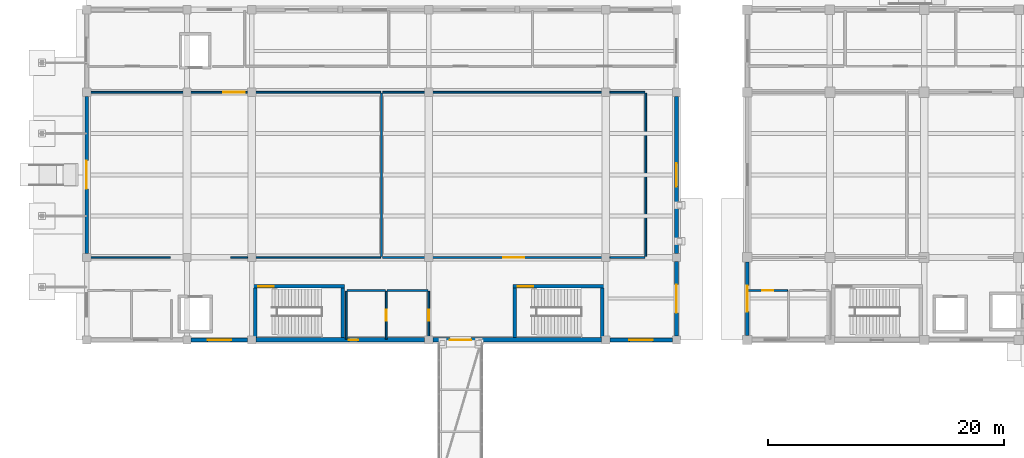
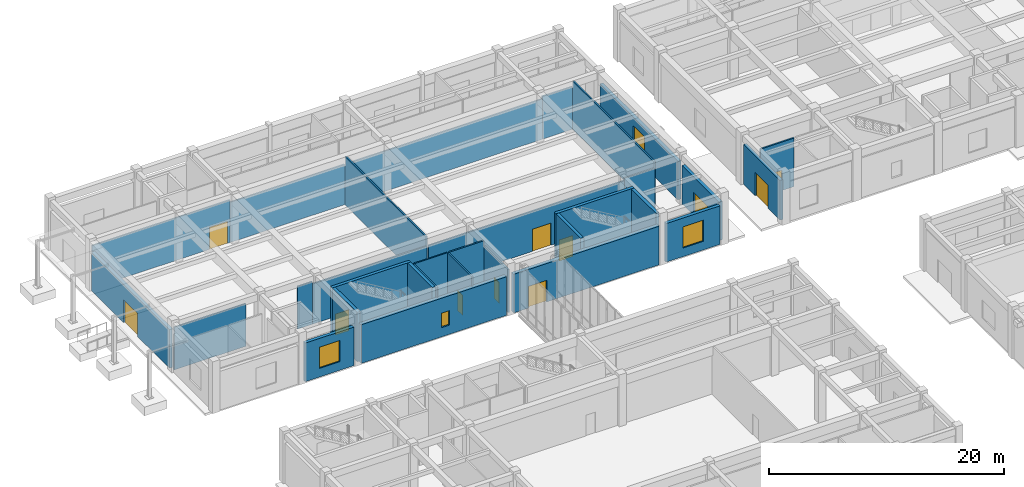
# One storey, part 20 of 40: 31 walls, 11 doors, 4 windows, 15 openings.
"""IFC4 building model written with IfcOpenShell, lengths in metres."""

import ifcopenshell
import ifcopenshell.guid

model = None  # the IFC model being written
_history = None  # IfcOwnerHistory: only IFC2X3 demands one
_inside = {}  # id of a spatial element -> (the spatial element, [elements in it])
_under = {}  # id of a project, library or spatial element -> (it, [spatial elements below it])
_declared = {}  # id of a project -> (the project, [libraries it declares])
_typed = {}  # id of a type object -> (the type object, [elements of that type])
_made_of = {}  # id of a material, layer set ... -> (it, [elements and type objects made of it])


def new_model(schema):
    """Start an empty IFC model of exactly this schema.

    Asked for "IFC4X3", IfcOpenShell would pick the latest addendum, in which some entities
    have other attributes; the version numbers below select the first issue.
    IFC2X3 requires an IfcOwnerHistory on every rooted entity: one is made here for all.
    """
    global model, _history
    if schema == "IFC4X3":
        model = ifcopenshell.file(schema_version=(4, 3, 0, 0))
    else:
        model = ifcopenshell.file(schema=schema)
    _inside.clear()
    _under.clear()
    _declared.clear()
    _typed.clear()
    _made_of.clear()
    _history = None
    if model.schema == "IFC2X3":
        org = make("IfcOrganization", Name="unknown")
        user = make(
            "IfcPersonAndOrganization",
            ThePerson=make("IfcPerson", FamilyName="unknown"),
            TheOrganization=org,
        )
        app = make(
            "IfcApplication",
            ApplicationDeveloper=org,
            Version="unknown",
            ApplicationFullName="unknown",
            ApplicationIdentifier="unknown",
        )
        _history = make(
            "IfcOwnerHistory",
            OwningUser=user,
            OwningApplication=app,
            ChangeAction="ADDED",
            CreationDate=0,
        )
    return model


def make(cls, **values):
    """One entity of the class cls with the attributes given. An attribute that is None is left unset."""
    return model.create_entity(
        cls, **{name: value for name, value in values.items() if value is not None}
    )


def rooted(cls, **values):
    """An entity with a GlobalId (a new one), such as an element, a storey or a relation."""
    return make(cls, GlobalId=ifcopenshell.guid.new(), OwnerHistory=_history, **values)


def si_unit(unit_type, name, prefix=None):
    """IfcSIUnit, for example si_unit("LENGTHUNIT", "METRE", prefix="MILLI")."""
    return make("IfcSIUnit", UnitType=unit_type, Prefix=prefix, Name=name)


def assignment(units):
    """IfcUnitAssignment: the units of a project."""
    return None if units is None else make("IfcUnitAssignment", Units=units)


def point(xyz):
    """IfcCartesianPoint."""
    return None if xyz is None else make("IfcCartesianPoint", Coordinates=xyz)


def direction(xyz):
    """IfcDirection."""
    return None if xyz is None else make("IfcDirection", DirectionRatios=xyz)


def frame(location, z_axis=None, x_axis=None):
    """IfcAxis2Placement3D, a coordinate frame: its origin and axes. An axis left out is left unset."""
    return make(
        "IfcAxis2Placement3D",
        Location=point(location),
        Axis=direction(z_axis),
        RefDirection=direction(x_axis),
    )


def frame_2d(location, x_axis=None):
    """IfcAxis2Placement2D, a coordinate frame in the plane: its origin and x axis."""
    return make(
        "IfcAxis2Placement2D", Location=point(location), RefDirection=direction(x_axis)
    )


def origin():
    """The frame at (0, 0, 0) with its axes left unset."""
    return frame((0.0, 0.0, 0.0))


def place(relative_to, where):
    """IfcLocalPlacement: puts the frame where relative to a parent placement (None: the world)."""
    return make(
        "IfcLocalPlacement", PlacementRelTo=relative_to, RelativePlacement=where
    )


def context(
    kind, dimensions, precision=None, world=None, true_north=None, identifier=None
):
    """IfcGeometricRepresentationContext, for example the 3D "Model" context."""
    return make(
        "IfcGeometricRepresentationContext",
        ContextIdentifier=identifier,
        ContextType=kind,
        CoordinateSpaceDimension=dimensions,
        Precision=precision,
        WorldCoordinateSystem=world,
        TrueNorth=true_north,
    )


def subcontext(parent, identifier, kind, view, scale=None):
    """IfcGeometricRepresentationSubContext, for example "Body" below "Model"."""
    return make(
        "IfcGeometricRepresentationSubContext",
        ContextIdentifier=identifier,
        ContextType=kind,
        ParentContext=parent,
        TargetScale=scale,
        TargetView=view,
    )


def project(units=None, contexts=None):
    """IfcProject with its units and contexts."""
    return rooted(
        "IfcProject",
        Name="project",
        RepresentationContexts=contexts,
        UnitsInContext=assignment(units),
    )


def spatial(cls, under=None, at=None, **own):
    """A site, building, storey or space (cls), placed at a placement, below another one or the project."""
    s = rooted(cls, ObjectPlacement=at, **own)
    if under is not None:
        _under.setdefault(under.id(), (under, []))[1].append(s)
    return s


def profile(cls, at=None, kind="AREA", **sizes):
    """A parametric profile (cls). Its sizes go by their IFC names, for example OverallWidth=200.0."""
    return make(cls, ProfileType=kind, Position=at, **sizes)


def rectangle(**sizes):
    """IfcRectangleProfileDef."""
    return profile("IfcRectangleProfileDef", **sizes)


def extrude(swept, where, along, depth):
    """IfcExtrudedAreaSolid: the profile swept, set in the frame where, extruded along a direction by depth."""
    return make(
        "IfcExtrudedAreaSolid",
        SweptArea=swept,
        Position=where,
        ExtrudedDirection=direction(along),
        Depth=depth,
    )


def shape(context_of_items, identifier, shape_type, items):
    """IfcShapeRepresentation: the items that make up one representation, for example the "Body"."""
    return make(
        "IfcShapeRepresentation",
        ContextOfItems=context_of_items,
        RepresentationIdentifier=identifier,
        RepresentationType=shape_type,
        Items=items,
    )


def material(Name=None, Category=None):
    """IfcMaterial."""
    return make("IfcMaterial", Name=Name, Category=Category)


def layer(
    of_material, thickness, ventilated=None, Name=None, Category=None, Priority=None
):
    """IfcMaterialLayer: one layer of a wall or slab, of a material (None: an air gap)."""
    return make(
        "IfcMaterialLayer",
        Material=of_material,
        LayerThickness=thickness,
        IsVentilated=ventilated,
        Name=Name,
        Category=Category,
        Priority=Priority,
    )


def layer_set(layers, Name=None):
    """IfcMaterialLayerSet."""
    return make("IfcMaterialLayerSet", MaterialLayers=layers, LayerSetName=Name)


def made_of(thing, what):
    """Note that an element or type object is made of a material, layer set ...; save() writes the relation."""
    if what is not None:
        _made_of.setdefault(what.id(), (what, []))[1].append(thing)
    return thing


def type_object(cls, material=None, **own):
    """A type object (cls), such as IfcWallType, which elements share."""
    return made_of(rooted(cls, **own), material)


def element(
    cls,
    number,
    at=None,
    inside=None,
    cuts=None,
    type_object=None,
    material=None,
    context=None,
    identifier="Body",
    shape_type=None,
    held_by="IfcProductDefinitionShape",
    body=None,
    shapes=None,
    **own,
):
    """One element of the class cls, such as IfcWall. Its Tag is "e" and its number.

    at: its placement. inside: the storey or other place that contains it. cuts: it is an
    opening in that element (IfcRelVoidsElement). A single representation is given by context,
    identifier, shape_type and body (its items); several are given by shapes. held_by: the class
    of the entity that holds the representations. save() writes the other relations.
    """
    e = rooted(cls, Tag="e%d" % number, ObjectPlacement=at, **own)
    if body is not None:
        shapes = [shape(context, identifier, shape_type, body)]
    if shapes is not None:
        e.Representation = make(held_by, Representations=shapes)
    if inside is not None:
        _inside.setdefault(inside.id(), (inside, []))[1].append(e)
    if cuts is not None:
        rooted(
            "IfcRelVoidsElement", RelatingBuildingElement=cuts, RelatedOpeningElement=e
        )
    if type_object is not None:
        _typed.setdefault(type_object.id(), (type_object, []))[1].append(e)
    return made_of(e, material)


def fill(opening, filler):
    """IfcRelFillsElement: the door or window that sits in an opening."""
    return rooted(
        "IfcRelFillsElement",
        RelatingOpeningElement=opening,
        RelatedBuildingElement=filler,
    )


def aggregate(whole, parts):
    """IfcRelAggregates: a whole, such as a stair, and the parts it consists of."""
    return rooted("IfcRelAggregates", RelatingObject=whole, RelatedObjects=parts)


def save(model, path):
    """Write the relations noted so far, then the file.

    IfcRelAggregates (storeys below a building ...), IfcRelContainedInSpatialStructure (elements
    in a storey), IfcRelDefinesByType, IfcRelAssociatesMaterial and IfcRelDeclares: one each for
    every whole, place, type object, material and project.
    """
    for whole, parts in _under.values():
        aggregate(whole, parts)
    for where, things in _inside.values():
        rooted(
            "IfcRelContainedInSpatialStructure",
            RelatedElements=things,
            RelatingStructure=where,
        )
    for kind, things in _typed.values():
        rooted("IfcRelDefinesByType", RelatedObjects=things, RelatingType=kind)
    for what, things in _made_of.values():
        rooted("IfcRelAssociatesMaterial", RelatedObjects=things, RelatingMaterial=what)
    for by, libraries in _declared.values():
        rooted("IfcRelDeclares", RelatingContext=by, RelatedDefinitions=libraries)
    model.write(path)


model = new_model("IFC4")

# Units and contexts
model_context = context("Model", 3, precision=1e-05, world=origin(), true_north=direction((0.0, 1.0)))
body_context = subcontext(model_context, "Body", "Model", "MODEL_VIEW")
ifc_project = project(units=[si_unit("LENGTHUNIT", "METRE"), si_unit("AREAUNIT", "SQUARE_METRE"), si_unit("VOLUMEUNIT", "CUBIC_METRE"), si_unit("PLANEANGLEUNIT", "RADIAN"), si_unit("MASSUNIT", "GRAM", prefix="KILO")], contexts=[model_context])

# Site, building, storey
site_placement = place(None, origin())
site = spatial("IfcSite", under=ifc_project, at=site_placement, CompositionType="ELEMENT")
building_placement = place(site_placement, origin())
building = spatial("IfcBuilding", under=site, at=building_placement, Name="Naurynzar Civic Courthouse", CompositionType="ELEMENT")
storey_placement = place(building_placement, origin())
storey = spatial("IfcBuildingStorey", under=building, at=storey_placement, Name="L01", CompositionType="ELEMENT", Elevation=0.0)

# Walls
ifc_material_1 = material(Name="Acoustic Double-Stud Gypsum Partition")
ifc_layer_1 = layer(ifc_material_1, 0.135009765625)
ifc_layer_set_1 = layer_set([ifc_layer_1], Name="WL-ACOUSTIC-135")
wall_type_1 = type_object("IfcWallType", Name="WL-ACOUSTIC-135", PredefinedType="PARTITIONING", material=ifc_layer_set_1)
wall_1_placement = place(storey_placement, frame((6.080078125, 51.0, 0.0), z_axis=(0.0, 0.0, 1.0), x_axis=(1.0, 0.0, 0.0)))
element("IfcWall", 1, at=wall_1_placement, inside=storey, type_object=wall_type_1, Name="V1 interior partition L01.104", PredefinedType="PARTITIONING", context=body_context, shape_type="SweptSolid", body=[
    extrude(rectangle(XDim=7.02001953125, YDim=0.135009765625, at=frame_2d((3.510009765625, 0.0))), origin(), (0.0, 0.0, 1.0), 4.429931640625),
])
wall_2_placement = place(storey_placement, frame((18.199951171875, 51.0, 0.0), z_axis=(0.0, 0.0, 1.0), x_axis=(1.0, 0.0, 0.0)))
element("IfcWall", 2, at=wall_2_placement, inside=storey, type_object=wall_type_1, Name="V1 interior partition L01.105a", PredefinedType="PARTITIONING", context=body_context, shape_type="SweptSolid", body=[
    extrude(rectangle(XDim=1.449951171875, YDim=0.135009765625, at=frame_2d((0.72509765625, 0.0))), origin(), (0.0, 0.0, 1.0), 4.429931640625),
])
wall_3_placement = place(storey_placement, frame((19.64990234375, 51.0, 0.0), z_axis=(0.0, 0.0, 1.0), x_axis=(1.0, 0.0, 0.0)))
element("IfcWall", 3, at=wall_3_placement, inside=storey, type_object=wall_type_1, Name="V1 interior partition L01.105ab", PredefinedType="PARTITIONING", context=body_context, shape_type="SweptSolid", body=[
    extrude(rectangle(XDim=11.27001953125, YDim=0.135009765625, at=frame_2d((5.635009765625, 0.0))), origin(), (0.0, 0.0, 1.0), 4.179931640625),
])

# Wall, opening, door
wall_4_placement = place(storey_placement, frame((6.080078125, 65.0, 0.0), z_axis=(0.0, 0.0, 1.0), x_axis=(1.0, 0.0, 0.0)))
wall_4 = element("IfcWall", 4, at=wall_4_placement, inside=storey, type_object=wall_type_1, Name="V1 interior partition L01.114a", PredefinedType="PARTITIONING", context=body_context, shape_type="SweptSolid", body=[
    extrude(rectangle(XDim=13.56982421875, YDim=0.135009765625, at=frame_2d((6.784912109375, 0.0))), origin(), (0.0, 0.0, 1.0), 4.429931640625),
])
opening_1_placement = place(wall_4_placement, frame((11.52001953125, 0.0, 0.0)))
opening_1 = element("IfcOpeningElement", 5, at=opening_1_placement, cuts=wall_4, Name="Opening D-012", PredefinedType="OPENING", context=body_context, shape_type="SweptSolid", body=[
    extrude(rectangle(XDim=1.800048828125, YDim=2.300048828125, at=frame_2d((0.89990234375, 1.14990234375))), frame((0.0, 0.077392578125, 0.0), z_axis=(0.0, -1.0, 0.0), x_axis=(1.0, 0.0, 0.0)), (0.0, 0.0, 1.0), 0.155029296875),
])
ifc_material_2 = material(Name="Acoustic Oak Timber Grade A", Category="wood")
door_type_1 = type_object("IfcDoorType", Name="DR-COURT-DBL-1800x2300", OperationType="DOUBLE_DOOR_SINGLE_SWING", PredefinedType="DOOR", material=ifc_material_2)
door_1_placement = place(opening_1_placement, origin())
door_1 = element("IfcDoor", 6, at=door_1_placement, inside=storey, type_object=door_type_1, Name="Interior door D-012 (Jury Assembly Hall)", OperationType="DOUBLE_DOOR_SINGLE_SWING", OverallHeight=2.300048828125, OverallWidth=1.800048828125, PredefinedType="DOOR", context=body_context, shape_type="SweptSolid", body=[
    extrude(rectangle(XDim=1.800048828125, YDim=2.300048828125, at=frame_2d((0.89990234375, 1.14990234375))), frame((0.0, 0.02490234375, 0.0), z_axis=(0.0, -1.0, 0.0), x_axis=(1.0, 0.0, 0.0)), (0.0, 0.0, 1.0), 0.050048828125),
])
fill(opening_1, door_1)

# Wall
wall_5_placement = place(storey_placement, frame((19.64990234375, 65.0, 0.0), z_axis=(0.0, 0.0, 1.0), x_axis=(1.0, 0.0, 0.0)))
element("IfcWall", 7, at=wall_5_placement, inside=storey, type_object=wall_type_1, Name="V1 interior partition L01.114ab", PredefinedType="PARTITIONING", context=body_context, shape_type="SweptSolid", body=[
    extrude(rectangle(XDim=11.27001953125, YDim=0.135009765625, at=frame_2d((5.635009765625, 0.0))), origin(), (0.0, 0.0, 1.0), 4.179931640625),
])

# Wall, opening, door
ifc_material_3 = material(Name="Acoustic Double-Stud Gypsum Partition")
ifc_layer_2 = layer(ifc_material_3, 0.14501953125)
ifc_layer_set_2 = layer_set([ifc_layer_2], Name="WL-ACOUSTIC-145")
wall_type_2 = type_object("IfcWallType", Name="WL-ACOUSTIC-145", PredefinedType="PARTITIONING", material=ifc_layer_set_2)
wall_6_placement = place(storey_placement, frame((31.080078125, 51.0, 0.0), z_axis=(0.0, 0.0, 1.0), x_axis=(1.0, 0.0, 0.0)))
wall_6 = element("IfcWall", 8, at=wall_6_placement, inside=storey, type_object=wall_type_2, Name="V1 interior partition L01.106a", PredefinedType="PARTITIONING", context=body_context, shape_type="SweptSolid", body=[
    extrude(rectangle(XDim=19.27001953125, YDim=0.14501953125, at=frame_2d((9.635009765625, 0.0))), origin(), (0.0, 0.0, 1.0), 4.179931640625),
])
opening_2_placement = place(wall_6_placement, frame((10.219970703125, 0.0, 0.0)))
opening_2 = element("IfcOpeningElement", 9, at=opening_2_placement, cuts=wall_6, Name="Opening D-013", PredefinedType="OPENING", context=body_context, shape_type="SweptSolid", body=[
    extrude(rectangle(XDim=1.800048828125, YDim=2.300048828125, at=frame_2d((0.89990234375, 1.14990234375))), frame((0.0, 0.08251953125, 0.0), z_axis=(0.0, -1.0, 0.0), x_axis=(1.0, 0.0, 0.0)), (0.0, 0.0, 1.0), 0.1650390625),
])
door_2_placement = place(opening_2_placement, origin())
door_2 = element("IfcDoor", 10, at=door_2_placement, inside=storey, type_object=door_type_1, Name="Interior door D-013 (Press Briefing Hall)", OperationType="DOUBLE_DOOR_SINGLE_SWING", OverallHeight=2.300048828125, OverallWidth=1.800048828125, PredefinedType="DOOR", context=body_context, shape_type="SweptSolid", body=[
    extrude(rectangle(XDim=1.800048828125, YDim=2.300048828125, at=frame_2d((0.89990234375, 1.14990234375))), frame((0.0, 0.02490234375, 0.0), z_axis=(0.0, -1.0, 0.0), x_axis=(1.0, 0.0, 0.0)), (0.0, 0.0, 1.0), 0.050048828125),
])
fill(opening_2, door_2)

# Walls
wall_7_placement = place(storey_placement, frame((50.35009765625, 51.0, 0.0), z_axis=(0.0, 0.0, 1.0), x_axis=(1.0, 0.0, 0.0)))
element("IfcWall", 11, at=wall_7_placement, inside=storey, type_object=wall_type_2, Name="V1 interior partition L01.106ab", PredefinedType="PARTITIONING", context=body_context, shape_type="SweptSolid", body=[
    extrude(rectangle(XDim=2.969970703125, YDim=0.14501953125, at=frame_2d((1.48486328125, 0.0))), origin(), (0.0, 0.0, 1.0), 4.429931640625),
])
wall_8_placement = place(storey_placement, frame((31.080078125, 65.0, 0.0), z_axis=(0.0, 0.0, 1.0), x_axis=(1.0, 0.0, 0.0)))
element("IfcWall", 12, at=wall_8_placement, inside=storey, type_object=wall_type_2, Name="V1 interior partition L01.115a", PredefinedType="PARTITIONING", context=body_context, shape_type="SweptSolid", body=[
    extrude(rectangle(XDim=19.27001953125, YDim=0.14501953125, at=frame_2d((9.635009765625, 0.0))), origin(), (0.0, 0.0, 1.0), 4.179931640625),
])
wall_9_placement = place(storey_placement, frame((50.35009765625, 65.0, 0.0), z_axis=(0.0, 0.0, 1.0), x_axis=(1.0, 0.0, 0.0)))
element("IfcWall", 13, at=wall_9_placement, inside=storey, type_object=wall_type_2, Name="V1 interior partition L01.115ab", PredefinedType="PARTITIONING", context=body_context, shape_type="SweptSolid", body=[
    extrude(rectangle(XDim=2.969970703125, YDim=0.14501953125, at=frame_2d((1.48486328125, 0.0))), origin(), (0.0, 0.0, 1.0), 4.429931640625),
])
for number, where, z_axis, x_axis, name in (
    (14, (31.0, 51.080078125, 0.0), (0.0, 0.0, 1.0), (0.0, 1.0, 0.0), "V1 interior partition L01.143"),
    (15, (53.39990234375, 51.080078125, 0.0), (0.0, 0.0, 1.0), (0.0, 1.0, 0.0), "V1 interior partition L01.150"),
):
    element("IfcWall", number, at=place(storey_placement, frame(where, z_axis=z_axis, x_axis=x_axis)), inside=storey, type_object=wall_type_2, Name=name, PredefinedType="PARTITIONING", context=body_context, shape_type="SweptSolid", body=[
        extrude(rectangle(XDim=13.83984375, YDim=0.14501953125, at=frame_2d((6.919921875, 0.0))), origin(), (0.0, 0.0, 1.0), 5.0400390625),
    ])

# Wall, opening, door
ifc_material_4 = material(Name="Concrete C40/50", Category="concrete")
ifc_layer_3 = layer(ifc_material_4, 0.300048828125)
ifc_layer_set_3 = layer_set([ifc_layer_3], Name="WL-CORE-300")
wall_type_3 = type_object("IfcWallType", Name="WL-CORE-300", PredefinedType="SHEAR", material=ifc_layer_set_3)
wall_10_placement = place(storey_placement, frame((20.14990234375, 48.550048828125, 0.0), z_axis=(0.0, 0.0, 1.0), x_axis=(1.0, 0.0, 0.0)))
wall_10 = element("IfcWall", 16, at=wall_10_placement, inside=storey, type_object=wall_type_3, Name="Stair ST-V1A enclosure wall north L01", PredefinedType="SHEAR", context=body_context, shape_type="SweptSolid", body=[
    extrude(rectangle(XDim=7.7001953125, YDim=0.300048828125, at=frame_2d((3.85009765625, 0.0))), origin(), (0.0, 0.0, 1.0), 5.139892578125),
])
opening_3_placement = place(wall_10_placement, frame((0.375, 0.0, 0.0)))
opening_3 = element("IfcOpeningElement", 17, at=opening_3_placement, cuts=wall_10, Name="Opening SD-002", PredefinedType="OPENING", context=body_context, shape_type="SweptSolid", body=[
    extrude(rectangle(XDim=1.35009765625, YDim=2.199951171875, at=frame_2d((0.675048828125, 1.10009765625))), frame((0.0, 0.159912109375, 0.0), z_axis=(0.0, -1.0, 0.0), x_axis=(1.0, 0.0, 0.0)), (0.0, 0.0, 1.0), 0.320068359375),
])
ifc_material_5 = material(Name="Powder-Coated Galvanised Steel", Category="steel")
door_type_2 = type_object("IfcDoorType", Name="DR-STAIR-1350x2200", OperationType="NOTDEFINED", PredefinedType="DOOR", material=ifc_material_5)
door_3_placement = place(opening_3_placement, origin())
door_3 = element("IfcDoor", 18, at=door_3_placement, inside=storey, type_object=door_type_2, Name="Stair ST-V1A fire door L01", OperationType="SINGLE_SWING_RIGHT", OverallHeight=2.199951171875, OverallWidth=1.35009765625, PredefinedType="DOOR", context=body_context, shape_type="SweptSolid", body=[
    extrude(rectangle(XDim=1.35009765625, YDim=2.199951171875, at=frame_2d((0.675048828125, 1.10009765625))), frame((0.0, 0.02490234375, 0.0), z_axis=(0.0, -1.0, 0.0), x_axis=(1.0, 0.0, 0.0)), (0.0, 0.0, 1.0), 0.050048828125),
])
fill(opening_3, door_3)

# Walls
for number, where, z_axis, x_axis, name in (
    (19, (20.300048828125, 48.39501953125, 0.0), (0.0, 0.0, 1.0), (0.0, -1.0, 0.0), "Stair ST-V1A enclosure wall west L01"),
    (20, (27.699951171875, 44.195068359375, 0.0), (0.0, 0.0, 1.0), (0.0, 1.0, 0.0), "Stair ST-V1A enclosure wall east L01"),
):
    element("IfcWall", number, at=place(storey_placement, frame(where, z_axis=z_axis, x_axis=x_axis)), inside=storey, type_object=wall_type_3, Name=name, PredefinedType="SHEAR", context=body_context, shape_type="SweptSolid", body=[
        extrude(rectangle(XDim=4.199951171875, YDim=0.300048828125, at=frame_2d((2.10009765625, 0.0))), origin(), (0.0, 0.0, 1.0), 5.139892578125),
    ])

# Wall, opening, door
wall_11_placement = place(storey_placement, frame((42.14990234375, 48.550048828125, 0.0), z_axis=(0.0, 0.0, 1.0), x_axis=(1.0, 0.0, 0.0)))
wall_11 = element("IfcWall", 21, at=wall_11_placement, inside=storey, type_object=wall_type_3, Name="Stair ST-V1B enclosure wall north L01", PredefinedType="SHEAR", context=body_context, shape_type="SweptSolid", body=[
    extrude(rectangle(XDim=7.7001953125, YDim=0.300048828125, at=frame_2d((3.85009765625, 0.0))), origin(), (0.0, 0.0, 1.0), 5.139892578125),
])
opening_4_placement = place(wall_11_placement, frame((0.375, 0.0, 0.0)))
opening_4 = element("IfcOpeningElement", 22, at=opening_4_placement, cuts=wall_11, Name="Opening SD-007", PredefinedType="OPENING", context=body_context, shape_type="SweptSolid", body=[
    extrude(rectangle(XDim=1.35009765625, YDim=2.199951171875, at=frame_2d((0.675048828125, 1.10009765625))), frame((0.0, 0.159912109375, 0.0), z_axis=(0.0, -1.0, 0.0), x_axis=(1.0, 0.0, 0.0)), (0.0, 0.0, 1.0), 0.320068359375),
])
door_4_placement = place(opening_4_placement, origin())
door_4 = element("IfcDoor", 23, at=door_4_placement, inside=storey, type_object=door_type_2, Name="Stair ST-V1B fire door L01", OperationType="SINGLE_SWING_LEFT", OverallHeight=2.199951171875, OverallWidth=1.35009765625, PredefinedType="DOOR", context=body_context, shape_type="SweptSolid", body=[
    extrude(rectangle(XDim=1.35009765625, YDim=2.199951171875, at=frame_2d((0.675048828125, 1.10009765625))), frame((0.0, 0.02490234375, 0.0), z_axis=(0.0, -1.0, 0.0), x_axis=(1.0, 0.0, 0.0)), (0.0, 0.0, 1.0), 0.050048828125),
])
fill(opening_4, door_4)

# Walls
for number, where, z_axis, x_axis, name in (
    (24, (42.300048828125, 48.39501953125, 0.0), (0.0, 0.0, 1.0), (0.0, -1.0, 0.0), "Stair ST-V1B enclosure wall west L01"),
    (25, (49.699951171875, 44.195068359375, 0.0), (0.0, 0.0, 1.0), (0.0, 1.0, 0.0), "Stair ST-V1B enclosure wall east L01"),
):
    element("IfcWall", number, at=place(storey_placement, frame(where, z_axis=z_axis, x_axis=x_axis)), inside=storey, type_object=wall_type_3, Name=name, PredefinedType="SHEAR", context=body_context, shape_type="SweptSolid", body=[
        extrude(rectangle(XDim=4.199951171875, YDim=0.300048828125, at=frame_2d((2.10009765625, 0.0))), origin(), (0.0, 0.0, 1.0), 5.139892578125),
    ])

# Wall, opening, door
ifc_material_6 = material(Name="Precast concrete C40/50", Category="concrete")
ifc_layer_4 = layer(ifc_material_6, 0.300048828125)
ifc_layer_set_4 = layer_set([ifc_layer_4], Name="WL-EXT-300")
wall_type_4 = type_object("IfcWallType", Name="WL-EXT-300", PredefinedType="SOLIDWALL", material=ifc_layer_set_4)
wall_12_placement = place(storey_placement, frame((62.0, 44.39990234375, 0.0), z_axis=(0.0, 0.0, 1.0), x_axis=(0.0, 1.0, 0.0)))
wall_12 = element("IfcWall", 26, at=wall_12_placement, inside=storey, type_object=wall_type_4, Name="V2 exterior wall west L01.1.1", PredefinedType="SOLIDWALL", context=body_context, shape_type="SweptSolid", body=[
    extrude(rectangle(XDim=6.2001953125, YDim=0.300048828125, at=frame_2d((3.10009765625, 0.0))), origin(), (0.0, 0.0, 1.0), 4.1298828125),
])
opening_5_placement = place(wall_12_placement, frame((2.0, 0.0, 0.0)))
opening_5 = element("IfcOpeningElement", 27, at=opening_5_placement, cuts=wall_12, Name="Opening ED-06", PredefinedType="OPENING", context=body_context, shape_type="SweptSolid", body=[
    extrude(rectangle(XDim=2.199951171875, YDim=2.39990234375, at=frame_2d((1.10009765625, 1.199951171875))), frame((0.0, 0.159912109375, 0.0), z_axis=(0.0, -1.0, 0.0), x_axis=(1.0, 0.0, 0.0)), (0.0, 0.0, 1.0), 0.320068359375),
])
ifc_material_7 = material(Name="Aluminium 6063-T6", Category="aluminium")
door_type_3 = type_object("IfcDoorType", Name="DR-EXT-2200x2400", OperationType="DOUBLE_DOOR_SINGLE_SWING", PredefinedType="DOOR", material=ifc_material_7)
door_5_placement = place(opening_5_placement, origin())
door_5 = element("IfcDoor", 28, at=door_5_placement, inside=storey, type_object=door_type_3, Name="Ground final exit door ED-06", OperationType="DOUBLE_DOOR_SINGLE_SWING", OverallHeight=2.39990234375, OverallWidth=2.199951171875, PredefinedType="DOOR", context=body_context, shape_type="SweptSolid", body=[
    extrude(rectangle(XDim=2.199951171875, YDim=2.39990234375, at=frame_2d((1.10009765625, 1.199951171875))), frame((0.0, 0.02490234375, 0.0), z_axis=(0.0, -1.0, 0.0), x_axis=(1.0, 0.0, 0.0)), (0.0, 0.0, 1.0), 0.050048828125),
])
fill(opening_5, door_5)

ifc_material_8 = material(Name="Precast concrete C40/50", Category="concrete")
ifc_layer_5 = layer(ifc_material_8, 0.320068359375)
ifc_layer_set_5 = layer_set([ifc_layer_5], Name="WL-EXT-320")
wall_type_5 = type_object("IfcWallType", Name="WL-EXT-320", PredefinedType="SOLIDWALL", material=ifc_layer_set_5)
wall_13_placement = place(storey_placement, frame((6.0, 51.35009765625, 0.0), z_axis=(0.0, 0.0, 1.0), x_axis=(0.0, 1.0, 0.0)))
wall_13 = element("IfcWall", 29, at=wall_13_placement, inside=storey, type_object=wall_type_5, Name="V1 exterior wall west L01.2.1", PredefinedType="SOLIDWALL", context=body_context, shape_type="SweptSolid", body=[
    extrude(rectangle(XDim=13.2998046875, YDim=0.320068359375, at=frame_2d((6.64990234375, 0.0))), origin(), (0.0, 0.0, 1.0), 4.010009765625),
])
opening_6_placement = place(wall_13_placement, frame((5.449951171875, 0.0, 0.0)))
opening_6 = element("IfcOpeningElement", 30, at=opening_6_placement, cuts=wall_13, Name="Opening ED-01", PredefinedType="OPENING", context=body_context, shape_type="SweptSolid", body=[
    extrude(rectangle(XDim=2.39990234375, YDim=2.39990234375, at=frame_2d((1.199951171875, 1.199951171875))), frame((0.0, 0.169921875, 0.0), z_axis=(0.0, -1.0, 0.0), x_axis=(1.0, 0.0, 0.0)), (0.0, 0.0, 1.0), 0.340087890625),
])
ifc_material_9 = material(Name="Aluminium 6063-T6", Category="aluminium")
door_type_4 = type_object("IfcDoorType", Name="DR-EXT-2400x2400", OperationType="DOUBLE_DOOR_SINGLE_SWING", PredefinedType="DOOR", material=ifc_material_9)
door_6_placement = place(opening_6_placement, origin())
door_6 = element("IfcDoor", 31, at=door_6_placement, inside=storey, type_object=door_type_4, Name="Ground final exit door ED-01", OperationType="DOUBLE_DOOR_SINGLE_SWING", OverallHeight=2.39990234375, OverallWidth=2.39990234375, PredefinedType="DOOR", context=body_context, shape_type="SweptSolid", body=[
    extrude(rectangle(XDim=2.39990234375, YDim=2.39990234375, at=frame_2d((1.199951171875, 1.199951171875))), frame((0.0, 0.02490234375, 0.0), z_axis=(0.0, -1.0, 0.0), x_axis=(1.0, 0.0, 0.0)), (0.0, 0.0, 1.0), 0.050048828125),
])
fill(opening_6, door_6)

# Wall, opening, window
wall_14_placement = place(storey_placement, frame((56.0, 64.64990234375, 0.0), z_axis=(0.0, 0.0, 1.0), x_axis=(0.0, -1.0, 0.0)))
wall_14 = element("IfcWall", 32, at=wall_14_placement, inside=storey, type_object=wall_type_5, Name="V1 exterior wall east L01.2.1", PredefinedType="SOLIDWALL", context=body_context, shape_type="SweptSolid", body=[
    extrude(rectangle(XDim=13.2998046875, YDim=0.320068359375, at=frame_2d((6.64990234375, 0.0))), origin(), (0.0, 0.0, 1.0), 4.010009765625),
])
opening_7_placement = place(wall_14_placement, frame((5.64990234375, 0.0, 0.89990234375)))
opening_7 = element("IfcOpeningElement", 33, at=opening_7_placement, cuts=wall_14, Name="Opening WN-13", PredefinedType="OPENING", context=body_context, shape_type="SweptSolid", body=[
    extrude(rectangle(XDim=2.0, YDim=2.199951171875, at=frame_2d((1.0, 1.10009765625))), frame((0.0, 0.169921875, 0.0), z_axis=(0.0, -1.0, 0.0), x_axis=(1.0, 0.0, 0.0)), (0.0, 0.0, 1.0), 0.340087890625),
])
ifc_material_10 = material(Name="Tempered Laminated Low-E Glass", Category="glass")
window_type_1 = type_object("IfcWindowType", Name="WIN-REG-2000x2200", PartitioningType="DOUBLE_PANEL_VERTICAL", PredefinedType="WINDOW", material=ifc_material_10)
window_1_placement = place(opening_7_placement, origin())
window_1 = element("IfcWindow", 34, at=window_1_placement, inside=storey, type_object=window_type_1, Name="V1 window 8 L01", OverallHeight=2.199951171875, OverallWidth=2.0, PartitioningType="SINGLE_PANEL", PredefinedType="WINDOW", context=body_context, shape_type="SweptSolid", body=[
    extrude(rectangle(XDim=2.0, YDim=2.199951171875, at=frame_2d((1.0, 1.10009765625))), frame((0.0, 0.030029296875, 0.0), z_axis=(0.0, -1.0, 0.0), x_axis=(1.0, 0.0, 0.0)), (0.0, 0.0, 1.0), 0.06005859375),
])
fill(opening_7, window_1)

# Wall, opening, door
wall_15_placement = place(storey_placement, frame((56.0, 50.64990234375, 0.0), z_axis=(0.0, 0.0, 1.0), x_axis=(0.0, -1.0, 0.0)))
wall_15 = element("IfcWall", 35, at=wall_15_placement, inside=storey, type_object=wall_type_5, Name="V1 exterior wall east L01.3.1", PredefinedType="SOLIDWALL", context=body_context, shape_type="SweptSolid", body=[
    extrude(rectangle(XDim=6.2998046875, YDim=0.320068359375, at=frame_2d((3.14990234375, 0.0))), origin(), (0.0, 0.0, 1.0), 4.010009765625),
])
opening_8_placement = place(wall_15_placement, frame((1.949951171875, 0.0, 0.0)))
opening_8 = element("IfcOpeningElement", 36, at=opening_8_placement, cuts=wall_15, Name="Opening ED-05", PredefinedType="OPENING", context=body_context, shape_type="SweptSolid", body=[
    extrude(rectangle(XDim=2.39990234375, YDim=2.39990234375, at=frame_2d((1.199951171875, 1.199951171875))), frame((0.0, 0.169921875, 0.0), z_axis=(0.0, -1.0, 0.0), x_axis=(1.0, 0.0, 0.0)), (0.0, 0.0, 1.0), 0.340087890625),
])
door_7_placement = place(opening_8_placement, origin())
door_7 = element("IfcDoor", 37, at=door_7_placement, inside=storey, type_object=door_type_4, Name="Ground final exit door ED-05", OperationType="DOUBLE_DOOR_SINGLE_SWING", OverallHeight=2.39990234375, OverallWidth=2.39990234375, PredefinedType="DOOR", context=body_context, shape_type="SweptSolid", body=[
    extrude(rectangle(XDim=2.39990234375, YDim=2.39990234375, at=frame_2d((1.199951171875, 1.199951171875))), frame((0.0, 0.02490234375, 0.0), z_axis=(0.0, -1.0, 0.0), x_axis=(1.0, 0.0, 0.0)), (0.0, 0.0, 1.0), 0.050048828125),
])
fill(opening_8, door_7)

# Wall, opening, window
wall_16_placement = place(storey_placement, frame((55.64990234375, 44.0, 0.0), z_axis=(0.0, 0.0, 1.0), x_axis=(-1.0, 0.0, 0.0)))
wall_16 = element("IfcWall", 38, at=wall_16_placement, inside=storey, type_object=wall_type_5, Name="V1 exterior wall south L01.1.1", PredefinedType="SOLIDWALL", context=body_context, shape_type="SweptSolid", body=[
    extrude(rectangle(XDim=5.2998046875, YDim=0.320068359375, at=frame_2d((2.64990234375, 0.0))), origin(), (0.0, 0.0, 1.0), 4.010009765625),
])
opening_9_placement = place(wall_16_placement, frame((1.64990234375, 0.0, 0.89990234375)))
opening_9 = element("IfcOpeningElement", 39, at=opening_9_placement, cuts=wall_16, Name="Opening WN-13", PredefinedType="OPENING", context=body_context, shape_type="SweptSolid", body=[
    extrude(rectangle(XDim=2.0, YDim=2.199951171875, at=frame_2d((1.0, 1.10009765625))), frame((0.0, 0.169921875, 0.0), z_axis=(0.0, -1.0, 0.0), x_axis=(1.0, 0.0, 0.0)), (0.0, 0.0, 1.0), 0.340087890625),
])
window_2_placement = place(opening_9_placement, origin())
window_2 = element("IfcWindow", 40, at=window_2_placement, inside=storey, type_object=window_type_1, Name="V1 window 9 L01", OverallHeight=2.199951171875, OverallWidth=2.0, PartitioningType="SINGLE_PANEL", PredefinedType="WINDOW", context=body_context, shape_type="SweptSolid", body=[
    extrude(rectangle(XDim=2.0, YDim=2.199951171875, at=frame_2d((1.0, 1.10009765625))), frame((0.0, 0.030029296875, 0.0), z_axis=(0.0, -1.0, 0.0), x_axis=(1.0, 0.0, 0.0)), (0.0, 0.0, 1.0), 0.06005859375),
])
fill(opening_9, window_2)

wall_17_placement = place(storey_placement, frame((19.64990234375, 44.0, 0.0), z_axis=(0.0, 0.0, 1.0), x_axis=(-1.0, 0.0, 0.0)))
wall_17 = element("IfcWall", 41, at=wall_17_placement, inside=storey, type_object=wall_type_5, Name="V1 exterior wall south L01.4.1", PredefinedType="SOLIDWALL", context=body_context, shape_type="SweptSolid", body=[
    extrude(rectangle(XDim=4.7998046875, YDim=0.320068359375, at=frame_2d((2.39990234375, 0.0))), origin(), (0.0, 0.0, 1.0), 4.010009765625),
])
opening_10_placement = place(wall_17_placement, frame((1.39990234375, 0.0, 0.89990234375)))
opening_10 = element("IfcOpeningElement", 42, at=opening_10_placement, cuts=wall_17, Name="Opening WN-13", PredefinedType="OPENING", context=body_context, shape_type="SweptSolid", body=[
    extrude(rectangle(XDim=2.0, YDim=2.199951171875, at=frame_2d((1.0, 1.10009765625))), frame((0.0, 0.169921875, 0.0), z_axis=(0.0, -1.0, 0.0), x_axis=(1.0, 0.0, 0.0)), (0.0, 0.0, 1.0), 0.340087890625),
])
window_3_placement = place(opening_10_placement, origin())
window_3 = element("IfcWindow", 43, at=window_3_placement, inside=storey, type_object=window_type_1, Name="V1 window 10 L01", OverallHeight=2.199951171875, OverallWidth=2.0, PartitioningType="SINGLE_PANEL", PredefinedType="WINDOW", context=body_context, shape_type="SweptSolid", body=[
    extrude(rectangle(XDim=2.0, YDim=2.199951171875, at=frame_2d((1.0, 1.10009765625))), frame((0.0, 0.030029296875, 0.0), z_axis=(0.0, -1.0, 0.0), x_axis=(1.0, 0.0, 0.0)), (0.0, 0.0, 1.0), 0.06005859375),
])
fill(opening_10, window_3)

# Wall
ifc_material_11 = material(Name="Fire-Rated Corridor Gypsum Partition")
ifc_layer_6 = layer(ifc_material_11, 0.14990234375)
ifc_layer_set_6 = layer_set([ifc_layer_6], Name="WL-PART-CORR-150")
wall_type_6 = type_object("IfcWallType", Name="WL-PART-CORR-150", PredefinedType="PARTITIONING", material=ifc_layer_set_6)
wall_18_placement = place(storey_placement, frame((31.47998046875, 48.199951171875, 0.0), z_axis=(0.0, 0.0, 1.0), x_axis=(1.0, 0.0, 0.0)))
element("IfcWall", 44, at=wall_18_placement, inside=storey, type_object=wall_type_6, Name="V1 interior partition L01.99", PredefinedType="PARTITIONING", context=body_context, shape_type="SweptSolid", body=[
    extrude(rectangle(XDim=3.43994140625, YDim=0.14990234375, at=frame_2d((1.719970703125, 0.0))), origin(), (0.0, 0.0, 1.0), 5.0400390625),
])

# Wall, opening, door
wall_19_placement = place(storey_placement, frame((31.39990234375, 44.080078125, 0.0), z_axis=(0.0, 0.0, 1.0), x_axis=(0.0, 1.0, 0.0)))
wall_19 = element("IfcWall", 45, at=wall_19_placement, inside=storey, type_object=wall_type_6, Name="V1 interior partition L01.144", PredefinedType="PARTITIONING", context=body_context, shape_type="SweptSolid", body=[
    extrude(rectangle(XDim=4.0400390625, YDim=0.14990234375, at=frame_2d((2.02001953125, 0.0))), origin(), (0.0, 0.0, 1.0), 5.0400390625),
])
opening_11_placement = place(wall_19_placement, frame((1.56005859375, 0.0, 0.0)))
opening_11 = element("IfcOpeningElement", 46, at=opening_11_placement, cuts=wall_19, Name="Opening D-010", PredefinedType="OPENING", context=body_context, shape_type="SweptSolid", body=[
    extrude(rectangle(XDim=0.919921875, YDim=2.10009765625, at=frame_2d((0.4599609375, 1.050048828125))), frame((0.0, 0.0849609375, 0.0), z_axis=(0.0, -1.0, 0.0), x_axis=(1.0, 0.0, 0.0)), (0.0, 0.0, 1.0), 0.169921875),
])
ifc_material_12 = material(Name="Acoustic Oak Timber Grade A", Category="wood")
door_type_5 = type_object("IfcDoorType", Name="DR-WC-STD-920x2100", OperationType="NOTDEFINED", PredefinedType="DOOR", material=ifc_material_12)
door_8_placement = place(opening_11_placement, origin())
door_8 = element("IfcDoor", 47, at=door_8_placement, inside=storey, type_object=door_type_5, Name="Interior door D-010 (Staff WC V1)", OperationType="SINGLE_SWING_RIGHT", OverallHeight=2.10009765625, OverallWidth=0.919921875, PredefinedType="DOOR", context=body_context, shape_type="SweptSolid", body=[
    extrude(rectangle(XDim=0.919921875, YDim=2.10009765625, at=frame_2d((0.4599609375, 1.050048828125))), frame((0.0, 0.02490234375, 0.0), z_axis=(0.0, -1.0, 0.0), x_axis=(1.0, 0.0, 0.0)), (0.0, 0.0, 1.0), 0.050048828125),
])
fill(opening_11, door_8)

wall_20_placement = place(storey_placement, frame((35.0, 44.080078125, 0.0), z_axis=(0.0, 0.0, 1.0), x_axis=(0.0, 1.0, 0.0)))
wall_20 = element("IfcWall", 48, at=wall_20_placement, inside=storey, type_object=wall_type_6, Name="V1 interior partition L01.146", PredefinedType="PARTITIONING", context=body_context, shape_type="SweptSolid", body=[
    extrude(rectangle(XDim=4.0400390625, YDim=0.14990234375, at=frame_2d((2.02001953125, 0.0))), origin(), (0.0, 0.0, 1.0), 4.47998046875),
])
opening_12_placement = place(wall_20_placement, frame((1.570068359375, 0.0, 0.0)))
opening_12 = element("IfcOpeningElement", 49, at=opening_12_placement, cuts=wall_20, Name="Opening D-011", PredefinedType="OPENING", context=body_context, shape_type="SweptSolid", body=[
    extrude(rectangle(XDim=0.89990234375, YDim=2.14990234375, at=frame_2d((0.449951171875, 1.074951171875))), frame((0.0, 0.0849609375, 0.0), z_axis=(0.0, -1.0, 0.0), x_axis=(1.0, 0.0, 0.0)), (0.0, 0.0, 1.0), 0.169921875),
])
ifc_material_13 = material(Name="Acoustic Oak Timber Grade A", Category="wood")
door_type_6 = type_object("IfcDoorType", Name="DR-SUITE-900x2150", OperationType="NOTDEFINED", PredefinedType="DOOR", material=ifc_material_13)
door_9_placement = place(opening_12_placement, origin())
door_9 = element("IfcDoor", 50, at=door_9_placement, inside=storey, type_object=door_type_6, Name="Interior door D-011 (Ceremonial Waiting Lounge)", OperationType="SINGLE_SWING_LEFT", OverallHeight=2.14990234375, OverallWidth=0.89990234375, PredefinedType="DOOR", context=body_context, shape_type="SweptSolid", body=[
    extrude(rectangle(XDim=0.89990234375, YDim=2.14990234375, at=frame_2d((0.449951171875, 1.074951171875))), frame((0.0, 0.02490234375, 0.0), z_axis=(0.0, -1.0, 0.0), x_axis=(1.0, 0.0, 0.0)), (0.0, 0.0, 1.0), 0.050048828125),
])
fill(opening_12, door_9)

# Wall
ifc_material_14 = material(Name="Moisture-Resistant Plumbing Partition")
ifc_layer_7 = layer(ifc_material_14, 0.139892578125)
ifc_layer_set_7 = layer_set([ifc_layer_7], Name="WL-PART-WC-140")
wall_type_7 = type_object("IfcWallType", Name="WL-PART-WC-140", PredefinedType="PLUMBINGWALL", material=ifc_layer_set_7)
wall_21_placement = place(storey_placement, frame((28.080078125, 48.199951171875, 0.0), z_axis=(0.0, 0.0, 1.0), x_axis=(1.0, 0.0, 0.0)))
element("IfcWall", 51, at=wall_21_placement, inside=storey, type_object=wall_type_7, Name="V1 interior partition L01.98", PredefinedType="PLUMBINGWALL", context=body_context, shape_type="SweptSolid", body=[
    extrude(rectangle(XDim=3.239990234375, YDim=0.139892578125, at=frame_2d((1.6201171875, 0.0))), origin(), (0.0, 0.0, 1.0), 5.0400390625),
])

# Wall, opening, door
wall_22_placement = place(storey_placement, frame((62.080078125, 48.199951171875, 0.0), z_axis=(0.0, 0.0, 1.0), x_axis=(1.0, 0.0, 0.0)))
wall_22 = element("IfcWall", 52, at=wall_22_placement, inside=storey, type_object=wall_type_7, Name="V2 interior partition L01.100", PredefinedType="PLUMBINGWALL", context=body_context, shape_type="SweptSolid", body=[
    extrude(rectangle(XDim=3.33984375, YDim=0.139892578125, at=frame_2d((1.669921875, 0.0))), origin(), (0.0, 0.0, 1.0), 5.0400390625),
])
opening_13_placement = place(wall_22_placement, frame((1.2099609375, 0.0, 0.0)))
opening_13 = element("IfcOpeningElement", 53, at=opening_13_placement, cuts=wall_22, Name="Opening D-101", PredefinedType="OPENING", context=body_context, shape_type="SweptSolid", body=[
    extrude(rectangle(XDim=0.919921875, YDim=2.10009765625, at=frame_2d((0.4599609375, 1.050048828125))), frame((0.0, 0.079833984375, 0.0), z_axis=(0.0, -1.0, 0.0), x_axis=(1.0, 0.0, 0.0)), (0.0, 0.0, 1.0), 0.159912109375),
])
door_10_placement = place(opening_13_placement, origin())
door_10 = element("IfcDoor", 54, at=door_10_placement, inside=storey, type_object=door_type_5, Name="Interior door D-101 (Public WC V2)", OperationType="SINGLE_SWING_LEFT", OverallHeight=2.10009765625, OverallWidth=0.919921875, PredefinedType="DOOR", context=body_context, shape_type="SweptSolid", body=[
    extrude(rectangle(XDim=0.919921875, YDim=2.10009765625, at=frame_2d((0.4599609375, 1.050048828125))), frame((0.0, 0.02490234375, 0.0), z_axis=(0.0, -1.0, 0.0), x_axis=(1.0, 0.0, 0.0)), (0.0, 0.0, 1.0), 0.050048828125),
])
fill(opening_13, door_10)

# Wall
wall_23_placement = place(storey_placement, frame((28.0, 44.080078125, 0.0), z_axis=(0.0, 0.0, 1.0), x_axis=(0.0, 1.0, 0.0)))
element("IfcWall", 55, at=wall_23_placement, inside=storey, type_object=wall_type_7, Name="V1 interior partition L01.142", PredefinedType="PLUMBINGWALL", context=body_context, shape_type="SweptSolid", body=[
    extrude(rectangle(XDim=4.0400390625, YDim=0.139892578125, at=frame_2d((2.02001953125, 0.0))), origin(), (0.0, 0.0, 1.0), 5.0400390625),
])

# Wall, opening, door
ifc_material_15 = material(Name="Concrete C40/50", Category="concrete")
ifc_layer_8 = layer(ifc_material_15, 0.3798828125)
ifc_layer_set_8 = layer_set([ifc_layer_8], Name="WL-RET-380")
wall_type_8 = type_object("IfcWallType", Name="WL-RET-380", PredefinedType="STANDARD", material=ifc_layer_set_8)
wall_24_placement = place(storey_placement, frame((49.64990234375, 44.0, 0.0), z_axis=(0.0, 0.0, 1.0), x_axis=(-1.0, 0.0, 0.0)))
wall_24 = element("IfcWall", 56, at=wall_24_placement, inside=storey, type_object=wall_type_8, Name="V1 exterior wall south L01.2.1", PredefinedType="STANDARD", context=body_context, shape_type="SweptSolid", body=[
    extrude(rectangle(XDim=14.2998046875, YDim=0.3798828125, at=frame_2d((7.14990234375, 0.0))), origin(), (0.0, 0.0, 1.0), 4.010009765625),
])
opening_14_placement = place(wall_24_placement, frame((11.050048828125, 0.0, 0.0)))
opening_14 = element("IfcOpeningElement", 57, at=opening_14_placement, cuts=wall_24, Name="Opening BD-01", PredefinedType="OPENING", context=body_context, shape_type="SweptSolid", body=[
    extrude(rectangle(XDim=1.800048828125, YDim=2.25, at=frame_2d((0.89990234375, 1.125))), frame((0.0, 0.199951171875, 0.0), z_axis=(0.0, -1.0, 0.0), x_axis=(1.0, 0.0, 0.0)), (0.0, 0.0, 1.0), 0.39990234375),
])
ifc_material_16 = material(Name="Aluminium 6063-T6", Category="aluminium")
door_type_7 = type_object("IfcDoorType", Name="DR-BRG-1800x2250", OperationType="DOUBLE_DOOR_SINGLE_SWING", PredefinedType="DOOR", material=ifc_material_16)
door_11_placement = place(opening_14_placement, origin())
door_11 = element("IfcDoor", 58, at=door_11_placement, inside=storey, type_object=door_type_7, Name="Seismic bridge fire door BD-01", OperationType="DOUBLE_DOOR_SINGLE_SWING", OverallHeight=2.25, OverallWidth=1.800048828125, PredefinedType="DOOR", context=body_context, shape_type="SweptSolid", body=[
    extrude(rectangle(XDim=1.800048828125, YDim=2.25, at=frame_2d((0.89990234375, 1.125))), frame((0.0, 0.02490234375, 0.0), z_axis=(0.0, -1.0, 0.0), x_axis=(1.0, 0.0, 0.0)), (0.0, 0.0, 1.0), 0.050048828125),
])
fill(opening_14, door_11)

# Wall, opening, window
wall_25_placement = place(storey_placement, frame((34.64990234375, 44.0, 0.0), z_axis=(0.0, 0.0, 1.0), x_axis=(-1.0, 0.0, 0.0)))
wall_25 = element("IfcWall", 59, at=wall_25_placement, inside=storey, type_object=wall_type_8, Name="V1 exterior wall south L01.3.1", PredefinedType="STANDARD", context=body_context, shape_type="SweptSolid", body=[
    extrude(rectangle(XDim=14.2998046875, YDim=0.3798828125, at=frame_2d((7.14990234375, 0.0))), origin(), (0.0, 0.0, 1.0), 4.010009765625),
])
opening_15_placement = place(wall_25_placement, frame((5.6298828125, 0.0, 0.949951171875)))
opening_15 = element("IfcOpeningElement", 60, at=opening_15_placement, cuts=wall_25, Name="Opening WM-01", PredefinedType="OPENING", context=body_context, shape_type="SweptSolid", body=[
    extrude(rectangle(XDim=0.800048828125, YDim=1.5, at=frame_2d((0.39990234375, 0.75))), frame((0.0, 0.199951171875, 0.0), z_axis=(0.0, -1.0, 0.0), x_axis=(1.0, 0.0, 0.0)), (0.0, 0.0, 1.0), 0.39990234375),
])
ifc_material_17 = material(Name="Tempered Laminated Low-E Glass", Category="glass")
window_type_2 = type_object("IfcWindowType", Name="WIN-MOD-800x1500", PartitioningType="SINGLE_PANEL", PredefinedType="WINDOW", material=ifc_material_17)
window_4_placement = place(opening_15_placement, origin())
window_4 = element("IfcWindow", 61, at=window_4_placement, inside=storey, type_object=window_type_2, Name="Modular glazed window 1", OverallHeight=1.5, OverallWidth=0.800048828125, PartitioningType="SINGLE_PANEL", PredefinedType="WINDOW", context=body_context, shape_type="SweptSolid", body=[
    extrude(rectangle(XDim=0.800048828125, YDim=1.5, at=frame_2d((0.39990234375, 0.75))), frame((0.0, 0.030029296875, 0.0), z_axis=(0.0, -1.0, 0.0), x_axis=(1.0, 0.0, 0.0)), (0.0, 0.0, 1.0), 0.06005859375),
])
fill(opening_15, window_4)

save(model, "model.ifc")
